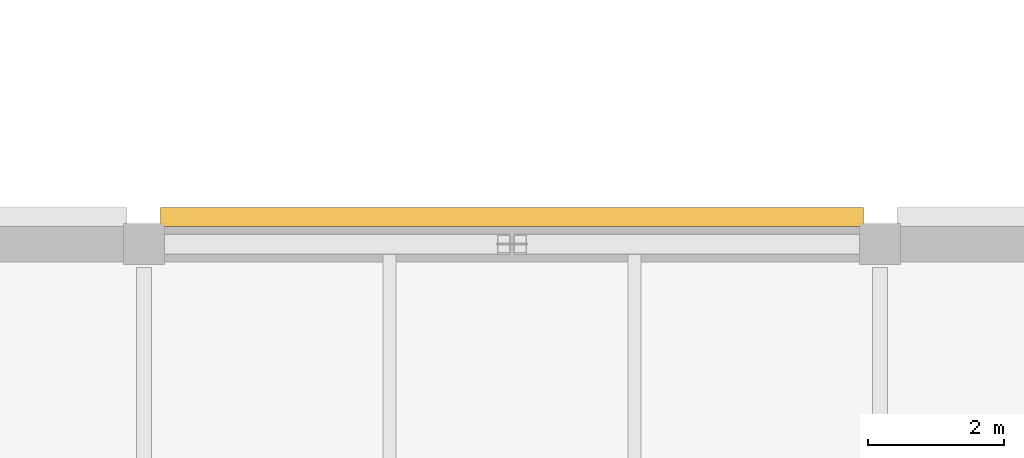
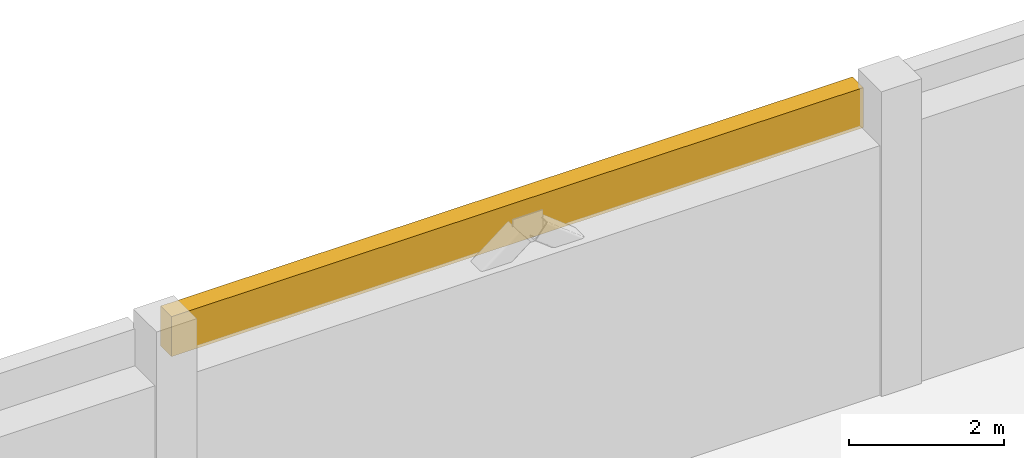
# One storey, part 95 of 100: 1 covering.
"""IFC4 building model written with IfcOpenShell, lengths in metres."""

from ifc_helpers import new_model, si_unit, direction, frame, origin, origin_2d, place, context, subcontext, project, spatial, rectangle, extrude, material, layer, layer_set, type_object, element, save


model = new_model("IFC4")

# Units and contexts
model_context = context("Model", 3, precision=1e-05, world=origin(), true_north=direction((0.0, 1.0)))
body_context = subcontext(model_context, "Body", "Model", "MODEL_VIEW")
ifc_project = project(units=[si_unit("LENGTHUNIT", "METRE"), si_unit("AREAUNIT", "SQUARE_METRE"), si_unit("VOLUMEUNIT", "CUBIC_METRE"), si_unit("PLANEANGLEUNIT", "RADIAN"), si_unit("MASSUNIT", "GRAM", prefix="KILO")], contexts=[model_context])

# Site, building, storey
site_placement = place(None, origin())
site = spatial("IfcSite", under=ifc_project, at=site_placement, CompositionType="ELEMENT")
building_placement = place(site_placement, origin())
building = spatial("IfcBuilding", under=site, at=building_placement, Name="Tasgan Crest Museum", CompositionType="ELEMENT")
storey_placement = place(building_placement, frame((0.0, 0.0, 9.60009765625)))
storey = spatial("IfcBuildingStorey", under=building, at=storey_placement, Name="L02", CompositionType="ELEMENT", Elevation=9.60009765625)

# Covering
ifc_material = material(Name="Honed Buff Limestone", Category="masonry")
ifc_layer = layer(ifc_material, 0.044921875, Name="COV-LIMESTONE-BUFF")
ifc_layer_set = layer_set([ifc_layer], Name="Honed Buff Limestone")
covering_type = type_object("IfcCoveringType", Name="COV-LIMESTONE-BUFF", PredefinedType="CLADDING", material=ifc_layer_set)
covering_placement = place(storey_placement, frame((124.199951171875, 62.39990234375, 3.87890625), z_axis=(0.0, 0.0, 1.0), x_axis=(-1.0, 0.0, 0.0)))
element("IfcCovering", 1, at=covering_placement, inside=storey, type_object=covering_type, Name="Stone frieze cladding L02", PredefinedType="CLADDING", context=body_context, shape_type="SweptSolid", body=[
    extrude(rectangle(XDim=10.31005859375, YDim=0.280029296875, at=origin_2d()), origin(), (0.0, 0.0, 1.0), 0.631103515625),
])

save(model, "model.ifc")
